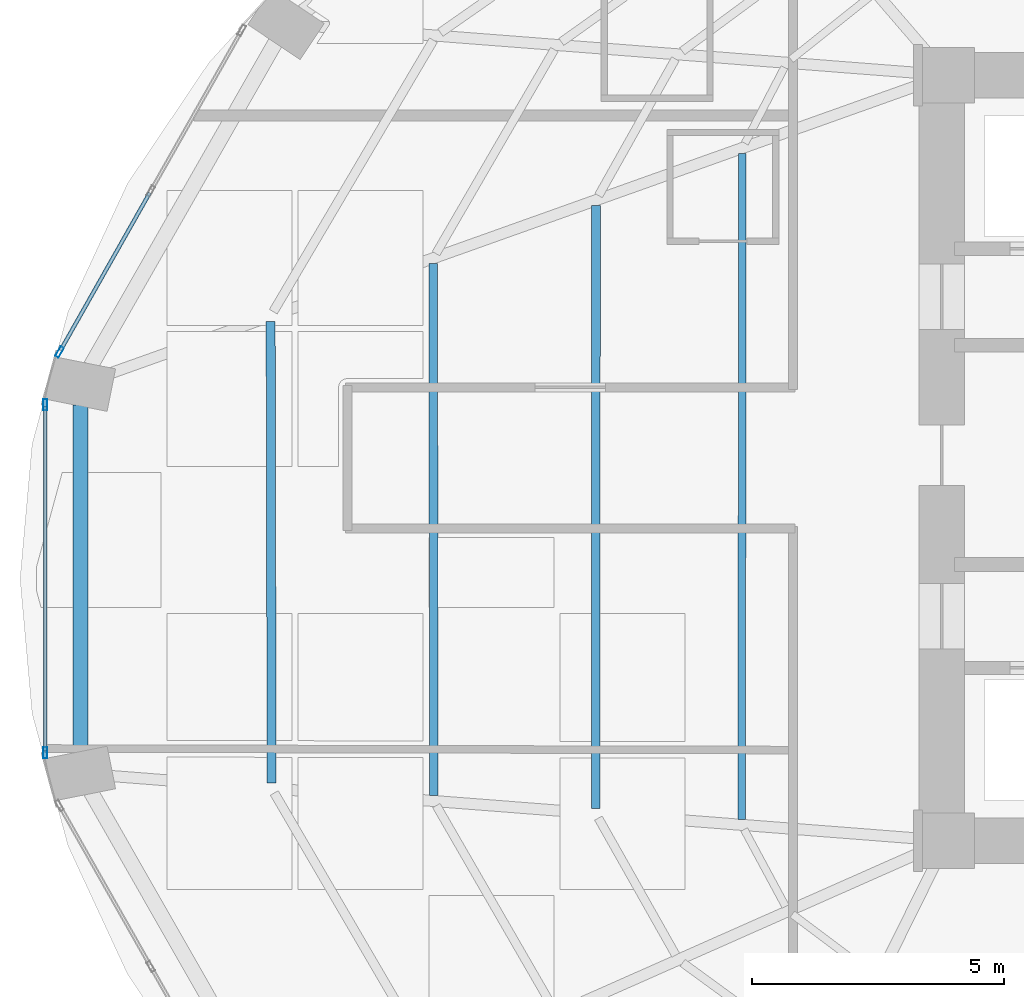
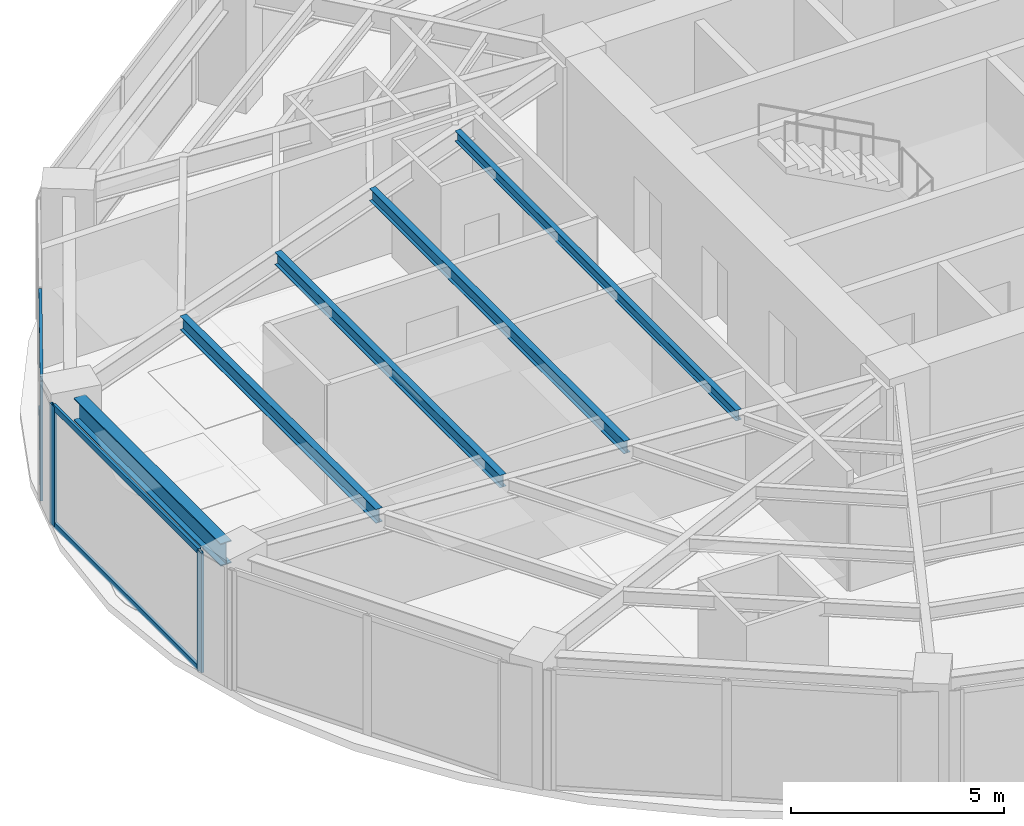
# One storey, part 7 of 25: 7 members, 5 beams, 2 elements without a shape of their own.
"""IFC4 building model written with IfcOpenShell, lengths in metres."""

import ifcopenshell
import ifcopenshell.guid

model = None  # the IFC model being written
_history = None  # IfcOwnerHistory: only IFC2X3 demands one
_inside = {}  # id of a spatial element -> (the spatial element, [elements in it])
_under = {}  # id of a project, library or spatial element -> (it, [spatial elements below it])
_declared = {}  # id of a project -> (the project, [libraries it declares])
_typed = {}  # id of a type object -> (the type object, [elements of that type])
_made_of = {}  # id of a material, layer set ... -> (it, [elements and type objects made of it])


def new_model(schema):
    """Start an empty IFC model of exactly this schema.

    Asked for "IFC4X3", IfcOpenShell would pick the latest addendum, in which some entities
    have other attributes; the version numbers below select the first issue.
    IFC2X3 requires an IfcOwnerHistory on every rooted entity: one is made here for all.
    """
    global model, _history
    if schema == "IFC4X3":
        model = ifcopenshell.file(schema_version=(4, 3, 0, 0))
    else:
        model = ifcopenshell.file(schema=schema)
    _inside.clear()
    _under.clear()
    _declared.clear()
    _typed.clear()
    _made_of.clear()
    _history = None
    if model.schema == "IFC2X3":
        org = make("IfcOrganization", Name="unknown")
        user = make(
            "IfcPersonAndOrganization",
            ThePerson=make("IfcPerson", FamilyName="unknown"),
            TheOrganization=org,
        )
        app = make(
            "IfcApplication",
            ApplicationDeveloper=org,
            Version="unknown",
            ApplicationFullName="unknown",
            ApplicationIdentifier="unknown",
        )
        _history = make(
            "IfcOwnerHistory",
            OwningUser=user,
            OwningApplication=app,
            ChangeAction="ADDED",
            CreationDate=0,
        )
    return model


def make(cls, **values):
    """One entity of the class cls with the attributes given. An attribute that is None is left unset."""
    return model.create_entity(
        cls, **{name: value for name, value in values.items() if value is not None}
    )


def rooted(cls, **values):
    """An entity with a GlobalId (a new one), such as an element, a storey or a relation."""
    return make(cls, GlobalId=ifcopenshell.guid.new(), OwnerHistory=_history, **values)


def si_unit(unit_type, name, prefix=None):
    """IfcSIUnit, for example si_unit("LENGTHUNIT", "METRE", prefix="MILLI")."""
    return make("IfcSIUnit", UnitType=unit_type, Prefix=prefix, Name=name)


def assignment(units):
    """IfcUnitAssignment: the units of a project."""
    return None if units is None else make("IfcUnitAssignment", Units=units)


def point(xyz):
    """IfcCartesianPoint."""
    return None if xyz is None else make("IfcCartesianPoint", Coordinates=xyz)


def direction(xyz):
    """IfcDirection."""
    return None if xyz is None else make("IfcDirection", DirectionRatios=xyz)


def frame(location, z_axis=None, x_axis=None):
    """IfcAxis2Placement3D, a coordinate frame: its origin and axes. An axis left out is left unset."""
    return make(
        "IfcAxis2Placement3D",
        Location=point(location),
        Axis=direction(z_axis),
        RefDirection=direction(x_axis),
    )


def frame_2d(location, x_axis=None):
    """IfcAxis2Placement2D, a coordinate frame in the plane: its origin and x axis."""
    return make(
        "IfcAxis2Placement2D", Location=point(location), RefDirection=direction(x_axis)
    )


def origin():
    """The frame at (0, 0, 0) with its axes left unset."""
    return frame((0.0, 0.0, 0.0))


def origin_2d():
    """The frame at (0, 0) in the plane with its x axis left unset."""
    return frame_2d((0.0, 0.0))


def place(relative_to, where):
    """IfcLocalPlacement: puts the frame where relative to a parent placement (None: the world)."""
    return make(
        "IfcLocalPlacement", PlacementRelTo=relative_to, RelativePlacement=where
    )


def context(
    kind, dimensions, precision=None, world=None, true_north=None, identifier=None
):
    """IfcGeometricRepresentationContext, for example the 3D "Model" context."""
    return make(
        "IfcGeometricRepresentationContext",
        ContextIdentifier=identifier,
        ContextType=kind,
        CoordinateSpaceDimension=dimensions,
        Precision=precision,
        WorldCoordinateSystem=world,
        TrueNorth=true_north,
    )


def subcontext(parent, identifier, kind, view, scale=None):
    """IfcGeometricRepresentationSubContext, for example "Body" below "Model"."""
    return make(
        "IfcGeometricRepresentationSubContext",
        ContextIdentifier=identifier,
        ContextType=kind,
        ParentContext=parent,
        TargetScale=scale,
        TargetView=view,
    )


def project(units=None, contexts=None):
    """IfcProject with its units and contexts."""
    return rooted(
        "IfcProject",
        Name="project",
        RepresentationContexts=contexts,
        UnitsInContext=assignment(units),
    )


def spatial(cls, under=None, at=None, **own):
    """A site, building, storey or space (cls), placed at a placement, below another one or the project."""
    s = rooted(cls, ObjectPlacement=at, **own)
    if under is not None:
        _under.setdefault(under.id(), (under, []))[1].append(s)
    return s


def profile(cls, at=None, kind="AREA", **sizes):
    """A parametric profile (cls). Its sizes go by their IFC names, for example OverallWidth=200.0."""
    return make(cls, ProfileType=kind, Position=at, **sizes)


def hollow_rectangle(**sizes):
    """IfcRectangleHollowProfileDef."""
    return profile("IfcRectangleHollowProfileDef", **sizes)


def i_section(**sizes):
    """IfcIShapeProfileDef."""
    return profile("IfcIShapeProfileDef", **sizes)


def extrude(swept, where, along, depth):
    """IfcExtrudedAreaSolid: the profile swept, set in the frame where, extruded along a direction by depth."""
    return make(
        "IfcExtrudedAreaSolid",
        SweptArea=swept,
        Position=where,
        ExtrudedDirection=direction(along),
        Depth=depth,
    )


def shape(context_of_items, identifier, shape_type, items):
    """IfcShapeRepresentation: the items that make up one representation, for example the "Body"."""
    return make(
        "IfcShapeRepresentation",
        ContextOfItems=context_of_items,
        RepresentationIdentifier=identifier,
        RepresentationType=shape_type,
        Items=items,
    )


def material(Name=None, Category=None):
    """IfcMaterial."""
    return make("IfcMaterial", Name=Name, Category=Category)


def layer(
    of_material, thickness, ventilated=None, Name=None, Category=None, Priority=None
):
    """IfcMaterialLayer: one layer of a wall or slab, of a material (None: an air gap)."""
    return make(
        "IfcMaterialLayer",
        Material=of_material,
        LayerThickness=thickness,
        IsVentilated=ventilated,
        Name=Name,
        Category=Category,
        Priority=Priority,
    )


def layer_set(layers, Name=None):
    """IfcMaterialLayerSet."""
    return make("IfcMaterialLayerSet", MaterialLayers=layers, LayerSetName=Name)


def material_profile(
    of_material, cross_section, Name=None, Category=None, Priority=None
):
    """IfcMaterialProfile: a cross section and its material."""
    return make(
        "IfcMaterialProfile",
        Name=Name,
        Material=of_material,
        Profile=cross_section,
        Priority=Priority,
        Category=Category,
    )


def profile_set(profiles, Name=None, composite=None):
    """IfcMaterialProfileSet."""
    return make(
        "IfcMaterialProfileSet",
        Name=Name,
        MaterialProfiles=profiles,
        CompositeProfile=composite,
    )


def made_of(thing, what):
    """Note that an element or type object is made of a material, layer set ...; save() writes the relation."""
    if what is not None:
        _made_of.setdefault(what.id(), (what, []))[1].append(thing)
    return thing


def type_object(cls, material=None, **own):
    """A type object (cls), such as IfcWallType, which elements share."""
    return made_of(rooted(cls, **own), material)


def element(
    cls,
    number,
    at=None,
    inside=None,
    cuts=None,
    type_object=None,
    material=None,
    context=None,
    identifier="Body",
    shape_type=None,
    held_by="IfcProductDefinitionShape",
    body=None,
    shapes=None,
    **own,
):
    """One element of the class cls, such as IfcWall. Its Tag is "e" and its number.

    at: its placement. inside: the storey or other place that contains it. cuts: it is an
    opening in that element (IfcRelVoidsElement). A single representation is given by context,
    identifier, shape_type and body (its items); several are given by shapes. held_by: the class
    of the entity that holds the representations. save() writes the other relations.
    """
    e = rooted(cls, Tag="e%d" % number, ObjectPlacement=at, **own)
    if body is not None:
        shapes = [shape(context, identifier, shape_type, body)]
    if shapes is not None:
        e.Representation = make(held_by, Representations=shapes)
    if inside is not None:
        _inside.setdefault(inside.id(), (inside, []))[1].append(e)
    if cuts is not None:
        rooted(
            "IfcRelVoidsElement", RelatingBuildingElement=cuts, RelatedOpeningElement=e
        )
    if type_object is not None:
        _typed.setdefault(type_object.id(), (type_object, []))[1].append(e)
    return made_of(e, material)


def aggregate(whole, parts):
    """IfcRelAggregates: a whole, such as a stair, and the parts it consists of."""
    return rooted("IfcRelAggregates", RelatingObject=whole, RelatedObjects=parts)


def save(model, path):
    """Write the relations noted so far, then the file.

    IfcRelAggregates (storeys below a building ...), IfcRelContainedInSpatialStructure (elements
    in a storey), IfcRelDefinesByType, IfcRelAssociatesMaterial and IfcRelDeclares: one each for
    every whole, place, type object, material and project.
    """
    for whole, parts in _under.values():
        aggregate(whole, parts)
    for where, things in _inside.values():
        rooted(
            "IfcRelContainedInSpatialStructure",
            RelatedElements=things,
            RelatingStructure=where,
        )
    for kind, things in _typed.values():
        rooted("IfcRelDefinesByType", RelatedObjects=things, RelatingType=kind)
    for what, things in _made_of.values():
        rooted("IfcRelAssociatesMaterial", RelatedObjects=things, RelatingMaterial=what)
    for by, libraries in _declared.values():
        rooted("IfcRelDeclares", RelatingContext=by, RelatedDefinitions=libraries)
    model.write(path)


model = new_model("IFC4")

# Units and contexts
model_context = context("Model", 3, precision=1e-05, world=origin(), true_north=direction((0.0, 1.0)))
body_context = subcontext(model_context, "Body", "Model", "MODEL_VIEW")
ifc_project = project(units=[si_unit("LENGTHUNIT", "METRE"), si_unit("AREAUNIT", "SQUARE_METRE"), si_unit("VOLUMEUNIT", "CUBIC_METRE"), si_unit("PLANEANGLEUNIT", "RADIAN"), si_unit("MASSUNIT", "GRAM", prefix="KILO")], contexts=[model_context])

# Site, building, storey
site_placement = place(None, origin())
site = spatial("IfcSite", under=ifc_project, at=site_placement, CompositionType="ELEMENT")
building_placement = place(site_placement, origin())
building = spatial("IfcBuilding", under=site, at=building_placement, Name="Lazwardi Medical Tower", CompositionType="ELEMENT")
storey_placement = place(building_placement, frame((0.0, 0.0, 32.49609375)))
storey = spatial("IfcBuildingStorey", under=building, at=storey_placement, Name="L07", CompositionType="ELEMENT", Elevation=32.49609375)

# Beams
ifc_material_1 = material(Name="Steel S355", Category="steel")
ifc_material_profile_1 = material_profile(ifc_material_1, i_section(OverallWidth=0.300048828125, OverallDepth=0.64990234375, WebThickness=0.01611328125, FlangeThickness=0.031005859375, at=origin_2d()), Name="HEB 650")
ifc_profile_set_1 = profile_set([ifc_material_profile_1], Name="Steel S355")
beam_type_1 = type_object("IfcBeamType", Name="BM-RB-Z1", PredefinedType="BEAM", material=ifc_profile_set_1)
beam_1_placement = place(storey_placement, frame((9.199951171875, 29.047607421875, 3.10302734375), z_axis=(0.0, -1.0, 0.0), x_axis=(1.0, 0.0, 0.0)))
element("IfcBeam", 1, at=beam_1_placement, inside=storey, type_object=beam_type_1, Name="Ring beam RB-02 B12 L07", PredefinedType="BEAM", context=body_context, shape_type="SweptSolid", body=[
    extrude(i_section(OverallWidth=0.300048828125, OverallDepth=0.64990234375, WebThickness=0.01611328125, FlangeThickness=0.031005859375, at=origin_2d()), origin(), (0.0, 0.0, 1.0), 6.895263671875),
])
ifc_material_profile_2 = material_profile(ifc_material_1, i_section(OverallWidth=0.179931640625, OverallDepth=0.39990234375, WebThickness=0.008544921875, FlangeThickness=0.013427734375, at=origin_2d()), Name="IPE 400")
ifc_profile_set_2 = profile_set([ifc_material_profile_2], Name="Steel S355")
beam_type_2 = type_object("IfcBeamType", Name="BM-SJ-01", PredefinedType="JOIST", material=ifc_profile_set_2)
beam_2_placement = place(storey_placement, frame((12.9765625, 30.708984375, 3.22802734375), z_axis=(0.002077613181, -0.999997841759, 0.0), x_axis=(0.999997841759, 0.002077613181, 0.0)))
element("IfcBeam", 2, at=beam_2_placement, inside=storey, type_object=beam_type_2, Name="Secondary joist SJ-01 R1 B12 L07", PredefinedType="JOIST", context=body_context, shape_type="SweptSolid", body=[
    extrude(i_section(OverallWidth=0.179931640625, OverallDepth=0.39990234375, WebThickness=0.008544921875, FlangeThickness=0.013427734375, at=origin_2d()), origin(), (0.0, 0.0, 1.0), 9.165771484375),
])
ifc_material_profile_3 = material_profile(ifc_material_1, i_section(OverallWidth=0.169921875, OverallDepth=0.360107421875, WebThickness=0.008056640625, FlangeThickness=0.0126953125, at=origin_2d()), Name="IPE 360")
ifc_profile_set_3 = profile_set([ifc_material_profile_3], Name="Steel S355")
beam_type_3 = type_object("IfcBeamType", Name="BM-SJ-02", PredefinedType="JOIST", material=ifc_profile_set_3)
beam_3_placement = place(storey_placement, frame((16.206298828125, 31.860595703125, 3.247802734375), z_axis=(0.000670039821, -0.999999775523, 0.0), x_axis=(0.999999775523, 0.000670039821, 0.0)))
element("IfcBeam", 3, at=beam_3_placement, inside=storey, type_object=beam_type_3, Name="Secondary joist SJ-02 R2 B12 L07", PredefinedType="JOIST", context=body_context, shape_type="SweptSolid", body=[
    extrude(i_section(OverallWidth=0.169921875, OverallDepth=0.360107421875, WebThickness=0.008056640625, FlangeThickness=0.0126953125, at=origin_2d()), origin(), (0.0, 0.0, 1.0), 10.566650390625),
])
beam_4_placement = place(storey_placement, frame((19.43603515625, 33.01220703125, 3.247802734375), z_axis=(-0.000387612685, -0.999999924878, 0.0), x_axis=(0.999999924878, -0.000387612685, 0.0)))
element("IfcBeam", 4, at=beam_4_placement, inside=storey, type_object=beam_type_3, Name="Secondary joist SJ-02 R3 B12 L07", PredefinedType="JOIST", context=body_context, shape_type="SweptSolid", body=[
    extrude(i_section(OverallWidth=0.169921875, OverallDepth=0.360107421875, WebThickness=0.008056640625, FlangeThickness=0.0126953125, at=origin_2d()), origin(), (0.0, 0.0, 1.0), 11.96728515625),
])
ifc_material_profile_4 = material_profile(ifc_material_1, i_section(OverallWidth=0.14990234375, OverallDepth=0.300048828125, WebThickness=0.007080078125, FlangeThickness=0.0107421875, at=origin_2d()), Name="IPE 300")
ifc_profile_set_4 = profile_set([ifc_material_profile_4], Name="Steel S355")
beam_type_4 = type_object("IfcBeamType", Name="BM-SJ-03", PredefinedType="JOIST", material=ifc_profile_set_4)
beam_5_placement = place(storey_placement, frame((22.343017578125, 34.048583984375, 3.27783203125), z_axis=(-0.001181203266, -0.999999302379, 0.0), x_axis=(0.999999302379, -0.001181203266, 0.0)))
element("IfcBeam", 5, at=beam_5_placement, inside=storey, type_object=beam_type_4, Name="Secondary joist SJ-03 R4 B12 L07", PredefinedType="JOIST", context=body_context, shape_type="SweptSolid", body=[
    extrude(i_section(OverallWidth=0.14990234375, OverallDepth=0.300048828125, WebThickness=0.007080078125, FlangeThickness=0.0107421875, at=origin_2d()), origin(), (0.0, 0.0, 1.0), 13.22802734375),
])

# Curtain wall, member
ifc_material_2 = material(Name="Anodised bronze aluminium and solar control glazing", Category="aluminium")
ifc_layer = layer(ifc_material_2, 0.199951171875)
ifc_layer_set = layer_set([ifc_layer], Name="Anodised bronze aluminium and solar control glazing")
curtain_wall_type = type_object("IfcCurtainWallType", Name="CW-SYS-02", PredefinedType="NOTDEFINED", material=ifc_layer_set)
curtain_wall_1_placement = place(storey_placement, origin())
curtain_wall_1 = element("IfcCurtainWall", 6, at=curtain_wall_1_placement, inside=storey, type_object=curtain_wall_type, Name="L07 Unitised bronze curtain wall CW-02", PredefinedType="NOTDEFINED")
ifc_material_3 = material(Name="Anodised bronze aluminium", Category="aluminium")
ifc_material_profile_5 = material_profile(ifc_material_3, hollow_rectangle(XDim=0.074951171875, YDim=0.219970703125, WallThickness=0.00390625, at=origin_2d()), Name="ALU-MULLION 220x75x4")
ifc_profile_set_5 = profile_set([ifc_material_profile_5], Name="Anodised bronze aluminium")
member_type_1 = type_object("IfcMemberType", Name="CW-MUL-01", PredefinedType="MULLION", material=ifc_profile_set_5)
member_1_placement = place(storey_placement, frame((8.785888671875, 30.102294921875, 0.0), z_axis=(0.0, 0.0, 1.0), x_axis=(0.870111838823, -0.492854327303, 0.0)))
member_1 = element("IfcMember", 7, at=member_1_placement, type_object=member_type_1, Name="CW-02 mullion 3", PredefinedType="MULLION", context=body_context, shape_type="SweptSolid", body=[
    extrude(hollow_rectangle(XDim=0.074951171875, YDim=0.219970703125, WallThickness=0.00390625, at=origin_2d()), origin(), (0.0, 0.0, 1.0), 3.427978515625),
])

# Curtain wall, members
curtain_wall_2_placement = place(storey_placement, origin())
curtain_wall_2 = element("IfcCurtainWall", 8, at=curtain_wall_2_placement, inside=storey, type_object=curtain_wall_type, Name="L07 Unitised bronze curtain wall CW-02", PredefinedType="NOTDEFINED")
member_2_placement = place(storey_placement, frame((8.50146484375, 29.053955078125, 0.0), z_axis=(0.0, 0.0, 1.0), x_axis=(1.0, 0.0, 0.0)))
member_2 = element("IfcMember", 9, at=member_2_placement, type_object=member_type_1, Name="CW-02 mullion 1", PredefinedType="MULLION", context=body_context, shape_type="SweptSolid", body=[
    extrude(hollow_rectangle(XDim=0.074951171875, YDim=0.219970703125, WallThickness=0.00390625, at=origin_2d()), origin(), (0.0, 0.0, 1.0), 3.427978515625),
])
member_3_placement = place(storey_placement, frame((8.50146484375, 22.14599609375, 0.0), z_axis=(0.0, 0.0, 1.0), x_axis=(1.0, 0.0, 0.0)))
member_3 = element("IfcMember", 10, at=member_3_placement, type_object=member_type_1, Name="CW-02 mullion 2", PredefinedType="MULLION", context=body_context, shape_type="SweptSolid", body=[
    extrude(hollow_rectangle(XDim=0.074951171875, YDim=0.219970703125, WallThickness=0.00390625, at=origin_2d()), origin(), (0.0, 0.0, 1.0), 3.427978515625),
])

# Member
ifc_material_profile_6 = material_profile(ifc_material_3, hollow_rectangle(XDim=0.074951171875, YDim=0.159912109375, WallThickness=0.00390625, at=origin_2d()), Name="ALU-TRANSOM 160x75x4")
ifc_profile_set_6 = profile_set([ifc_material_profile_6], Name="Anodised bronze aluminium")
member_type_2 = type_object("IfcMemberType", Name="CW-TRN-01", PredefinedType="USERDEFINED", material=ifc_profile_set_6)
member_4_placement = place(storey_placement, frame((10.576171875, 33.262939453125, 0.037353515625), z_axis=(-0.49285148925, -0.870113446365, 0.0), x_axis=(0.870113446365, -0.49285148925, 0.0)))
member_4 = element("IfcMember", 11, at=member_4_placement, type_object=member_type_2, Name="CW-02 transom 2.1", ObjectType="TRANSOM", PredefinedType="USERDEFINED", context=body_context, shape_type="SweptSolid", body=[
    extrude(hollow_rectangle(XDim=0.074951171875, YDim=0.159912109375, WallThickness=0.00390625, at=origin_2d()), origin(), (0.0, 0.0, 1.0), 3.594970703125),
])

member_5_placement = place(storey_placement, frame((10.576171875, 33.262939453125, 3.390380859375), z_axis=(-0.49285148925, -0.870113446365, 0.0), x_axis=(0.870113446365, -0.49285148925, 0.0)))
member_5 = element("IfcMember", 12, at=member_5_placement, type_object=member_type_2, Name="CW-02 transom 2.2", ObjectType="TRANSOM", PredefinedType="USERDEFINED", context=body_context, shape_type="SweptSolid", body=[
    extrude(hollow_rectangle(XDim=0.074951171875, YDim=0.159912109375, WallThickness=0.00390625, at=origin_2d()), origin(), (0.0, 0.0, 1.0), 3.594970703125),
])

aggregate(curtain_wall_1, [member_1, member_4, member_5])

member_6_placement = place(storey_placement, frame((8.50146484375, 29.0166015625, 0.037353515625), z_axis=(0.0, -1.0, 0.0), x_axis=(1.0, 0.0, 0.0)))
member_6 = element("IfcMember", 13, at=member_6_placement, type_object=member_type_2, Name="CW-02 transom 1.1", ObjectType="TRANSOM", PredefinedType="USERDEFINED", context=body_context, shape_type="SweptSolid", body=[
    extrude(hollow_rectangle(XDim=0.074951171875, YDim=0.159912109375, WallThickness=0.00390625, at=origin_2d()), origin(), (0.0, 0.0, 1.0), 6.8330078125),
])

member_7_placement = place(storey_placement, frame((8.50146484375, 29.0166015625, 3.390380859375), z_axis=(0.0, -1.0, 0.0), x_axis=(1.0, 0.0, 0.0)))
member_7 = element("IfcMember", 14, at=member_7_placement, type_object=member_type_2, Name="CW-02 transom 1.2", ObjectType="TRANSOM", PredefinedType="USERDEFINED", context=body_context, shape_type="SweptSolid", body=[
    extrude(hollow_rectangle(XDim=0.074951171875, YDim=0.159912109375, WallThickness=0.00390625, at=origin_2d()), origin(), (0.0, 0.0, 1.0), 6.8330078125),
])

aggregate(curtain_wall_2, [member_2, member_3, member_6, member_7])

save(model, "model.ifc")
